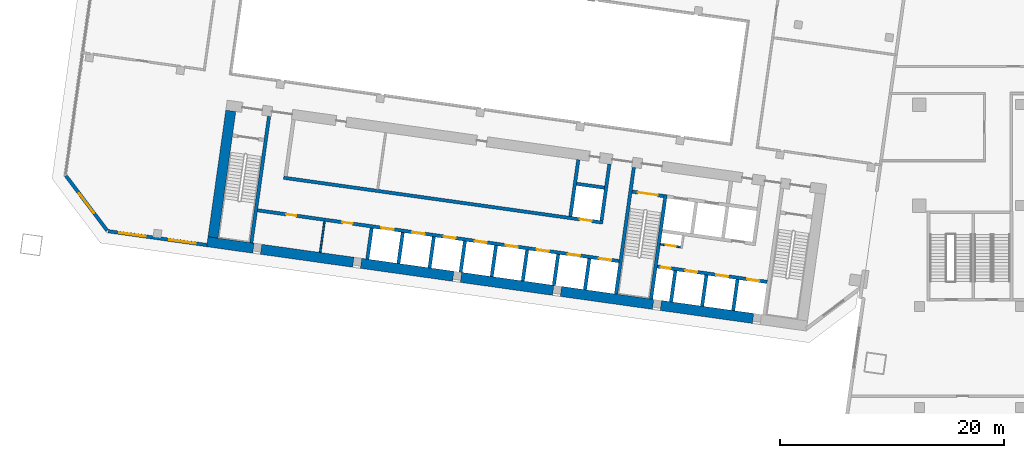
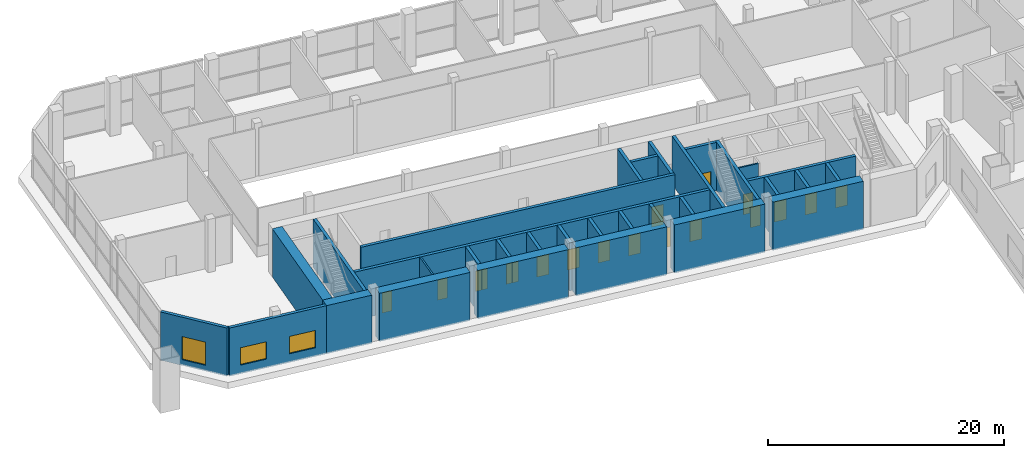
# One storey, part 10 of 23: 32 walls, 17 doors, 3 windows, 20 openings.
"""IFC4 building model written with IfcOpenShell, lengths in metres."""

from ifc_helpers import new_model, si_unit, direction, frame, frame_2d, origin, place, context, subcontext, project, spatial, rectangle, extrude, material, layer, layer_set, type_object, element, fill, save


model = new_model("IFC4")

# Units and contexts
model_context = context("Model", 3, precision=1e-05, world=origin(), true_north=direction((0.0, 1.0)))
body_context = subcontext(model_context, "Body", "Model", "MODEL_VIEW")
ifc_project = project(units=[si_unit("LENGTHUNIT", "METRE"), si_unit("AREAUNIT", "SQUARE_METRE"), si_unit("VOLUMEUNIT", "CUBIC_METRE"), si_unit("PLANEANGLEUNIT", "RADIAN"), si_unit("MASSUNIT", "GRAM", prefix="KILO")], contexts=[model_context])

# Site, building, storey
site_placement = place(None, origin())
site = spatial("IfcSite", under=ifc_project, at=site_placement, CompositionType="ELEMENT")
building_placement = place(site_placement, origin())
building = spatial("IfcBuilding", under=site, at=building_placement, Name="Mirante Cascada Hotel Towers", CompositionType="ELEMENT")
storey_placement = place(building_placement, frame((0.0, 0.0, 29.0)))
storey = spatial("IfcBuildingStorey", under=building, at=storey_placement, Name="L04", CompositionType="ELEMENT", Elevation=29.0)

# Wall, opening, door
ifc_material_1 = material(Name="Masonry block", Category="masonry")
ifc_layer_1 = layer(ifc_material_1, 0.15)
ifc_layer_set_1 = layer_set([ifc_layer_1], Name="Core room partition 150 block EI 30")
wall_type_1 = type_object("IfcWallType", Name="Core room partition 150 block EI 30", PredefinedType="PARTITIONING", material=ifc_layer_set_1)
wall_1_placement = place(storey_placement, frame((-48.2933, -12.7083, 0.0), z_axis=(0.0, 0.0, 1.0), x_axis=(-0.990268, 0.1391734, 0.0)))
wall_1 = element("IfcWall", 1, at=wall_1_placement, inside=storey, type_object=wall_type_1, Name="Core wall partition T1 L04 3", PredefinedType="PARTITIONING", context=body_context, shape_type="SweptSolid", body=[
    extrude(rectangle(XDim=1.8251, YDim=0.15, at=frame_2d((0.9126, 0.0))), origin(), (0.0, 0.0, 1.0), 5.0),
])
opening_1_placement = place(wall_1_placement, frame((0.4625, 0.0, 0.0)))
opening_1 = element("IfcOpeningElement", 2, at=opening_1_placement, cuts=wall_1, Name="Opening D1-04-C26", PredefinedType="OPENING", context=body_context, shape_type="SweptSolid", body=[
    extrude(rectangle(XDim=0.9, YDim=2.1, at=frame_2d((0.45, 1.05))), frame((0.0, 0.075, 0.0), z_axis=(0.0, -1.0, 0.0), x_axis=(1.0, 0.0, 0.0)), (0.0, 0.0, 1.0), 0.15),
])
ifc_material_2 = material(Name="Hollow metal fire door leaf")
door_type_1 = type_object("IfcDoorType", Name="Fire door 900x2100 FD60", OperationType="NOTDEFINED", PredefinedType="DOOR", material=ifc_material_2)
door_1_placement = place(opening_1_placement, origin())
door_1 = element("IfcDoor", 3, at=door_1_placement, inside=storey, type_object=door_type_1, Name="Riser door T1 L04 26", OperationType="SINGLE_SWING_RIGHT", OverallHeight=2.1, OverallWidth=0.9, PredefinedType="DOOR", context=body_context, shape_type="SweptSolid", body=[
    extrude(rectangle(XDim=0.9, YDim=2.1, at=frame_2d((0.45, 1.05))), frame((0.0, 0.025, 0.0), z_axis=(0.0, -1.0, 0.0), x_axis=(1.0, 0.0, 0.0)), (0.0, 0.0, 1.0), 0.05),
])
fill(opening_1, door_1)

# Wall
wall_2_placement = place(storey_placement, frame((-80.448, -13.1879, 0.0), z_axis=(0.0, 0.0, 1.0), x_axis=(0.139176, 0.9902677, 0.0)))
element("IfcWall", 4, at=wall_2_placement, inside=storey, type_object=wall_type_1, Name="Core wall partition T1 L04 4", PredefinedType="PARTITIONING", context=body_context, shape_type="SweptSolid", body=[
    extrude(rectangle(XDim=2.8001, YDim=0.15, at=frame_2d((1.4, 0.0))), origin(), (0.0, 0.0, 1.0), 5.0),
])

# Wall, openings, windows
ifc_material_3 = material(Name="Precast concrete C40/50", Category="concrete")
ifc_layer_2 = layer(ifc_material_3, 0.3)
ifc_layer_set_2 = layer_set([ifc_layer_2], Name="Precast concrete C40/50 cladding wall 300")
wall_type_2 = type_object("IfcWallType", Name="Precast concrete C40/50 cladding wall 300", PredefinedType="STANDARD", material=ifc_layer_set_2)
wall_3_placement = place(storey_placement, frame((-90.5541, -12.5249, 0.0), z_axis=(0.0, 0.0, 1.0), x_axis=(-0.9902676, 0.1391765, 0.0)))
wall_3 = element("IfcWall", 5, at=wall_3_placement, inside=storey, type_object=wall_type_2, Name="Rear cladding wall T1 L04 1", PredefinedType="STANDARD", context=body_context, shape_type="SweptSolid", body=[
    extrude(rectangle(XDim=8.8758, YDim=0.3, at=frame_2d((4.4379, 0.0))), origin(), (0.0, 0.0, 1.0), 5.0),
])
opening_2_placement = place(wall_3_placement, frame((1.0012, 0.0, 0.9)))
opening_2 = element("IfcOpeningElement", 6, at=opening_2_placement, cuts=wall_3, Name="Opening W1-04-01", PredefinedType="OPENING", context=body_context, shape_type="SweptSolid", body=[
    extrude(rectangle(XDim=2.4, YDim=1.8, at=frame_2d((1.2, 0.9))), frame((0.0, 0.15, 0.0), z_axis=(0.0, -1.0, 0.0), x_axis=(1.0, 0.0, 0.0)), (0.0, 0.0, 1.0), 0.3),
])
opening_3_placement = place(wall_3_placement, frame((5.4923, 0.0, 0.9)))
opening_3 = element("IfcOpeningElement", 7, at=opening_3_placement, cuts=wall_3, Name="Opening W1-04-02", PredefinedType="OPENING", context=body_context, shape_type="SweptSolid", body=[
    extrude(rectangle(XDim=2.4, YDim=1.8, at=frame_2d((1.2, 0.9))), frame((0.0, 0.15, 0.0), z_axis=(0.0, -1.0, 0.0), x_axis=(1.0, 0.0, 0.0)), (0.0, 0.0, 1.0), 0.3),
])
ifc_material_4 = material(Name="Aluminium frame with clear double glazing", Category="aluminium")
window_type_1 = type_object("IfcWindowType", Name="Punched window 2400x1800", PartitioningType="DOUBLE_PANEL_VERTICAL", PredefinedType="WINDOW", material=ifc_material_4)
window_1_placement = place(opening_2_placement, origin())
window_1 = element("IfcWindow", 8, at=window_1_placement, inside=storey, type_object=window_type_1, Name="Window W1-04-01", OverallHeight=1.8, OverallWidth=2.4, PartitioningType="SINGLE_PANEL", PredefinedType="WINDOW", context=body_context, shape_type="SweptSolid", body=[
    extrude(rectangle(XDim=2.4, YDim=1.8, at=frame_2d((1.2, 0.9))), frame((0.0, 0.03, 0.0), z_axis=(0.0, -1.0, 0.0), x_axis=(1.0, 0.0, 0.0)), (0.0, 0.0, 1.0), 0.06),
])
fill(opening_2, window_1)
window_2_placement = place(opening_3_placement, origin())
window_2 = element("IfcWindow", 9, at=window_2_placement, inside=storey, type_object=window_type_1, Name="Window W1-04-02", OverallHeight=1.8, OverallWidth=2.4, PartitioningType="SINGLE_PANEL", PredefinedType="WINDOW", context=body_context, shape_type="SweptSolid", body=[
    extrude(rectangle(XDim=2.4, YDim=1.8, at=frame_2d((1.2, 0.9))), frame((0.0, 0.03, 0.0), z_axis=(0.0, -1.0, 0.0), x_axis=(1.0, 0.0, 0.0)), (0.0, 0.0, 1.0), 0.06),
])
fill(opening_3, window_2)

# Wall, opening, window
wall_4_placement = place(storey_placement, frame((-99.4424, -11.2313, 0.0), z_axis=(0.0, 0.0, 1.0), x_axis=(-0.6018194, 0.7986322, 0.0)))
wall_4 = element("IfcWall", 10, at=wall_4_placement, inside=storey, type_object=wall_type_2, Name="Corner cladding wall T1 L04 rear outer", PredefinedType="STANDARD", context=body_context, shape_type="SweptSolid", body=[
    extrude(rectangle(XDim=6.1155, YDim=0.3, at=frame_2d((3.0578, 0.0))), origin(), (0.0, 0.0, 1.0), 5.0),
])
opening_4_placement = place(wall_4_placement, frame((1.9576, 0.0, 0.6)))
opening_4 = element("IfcOpeningElement", 11, at=opening_4_placement, cuts=wall_4, Name="Opening W1-04-03", PredefinedType="OPENING", context=body_context, shape_type="SweptSolid", body=[
    extrude(rectangle(XDim=2.2, YDim=2.4, at=frame_2d((1.1, 1.2))), frame((0.0, 0.15, 0.0), z_axis=(0.0, -1.0, 0.0), x_axis=(1.0, 0.0, 0.0)), (0.0, 0.0, 1.0), 0.3),
])
ifc_material_5 = material(Name="Aluminium frame with clear double glazing", Category="aluminium")
window_type_2 = type_object("IfcWindowType", Name="Corner suite window 2200x2400", PartitioningType="DOUBLE_PANEL_VERTICAL", PredefinedType="WINDOW", material=ifc_material_5)
window_3_placement = place(opening_4_placement, origin())
window_3 = element("IfcWindow", 12, at=window_3_placement, inside=storey, type_object=window_type_2, Name="Window W1-04-03", OverallHeight=2.4, OverallWidth=2.2, PartitioningType="SINGLE_PANEL", PredefinedType="WINDOW", context=body_context, shape_type="SweptSolid", body=[
    extrude(rectangle(XDim=2.2, YDim=2.4, at=frame_2d((1.1, 1.2))), frame((0.0, 0.03, 0.0), z_axis=(0.0, -1.0, 0.0), x_axis=(1.0, 0.0, 0.0)), (0.0, 0.0, 1.0), 0.06),
])
fill(opening_4, window_3)

# Walls
ifc_material_6 = material(Name="Concrete C50/60", Category="concrete")
ifc_layer_3 = layer(ifc_material_6, 0.3)
ifc_layer_set_3 = layer_set([ifc_layer_3], Name="RC core wall 300 C50/60")
wall_type_3 = type_object("IfcWallType", Name="RC core wall 300 C50/60", PredefinedType="SHEAR", material=ifc_layer_set_3)
wall_5_placement = place(storey_placement, frame((-50.938, -17.3352, 0.0), z_axis=(0.0, 0.0, 1.0), x_axis=(0.1391706, 0.9902684, 0.0)))
element("IfcWall", 13, at=wall_5_placement, inside=storey, type_object=wall_type_3, Name="Core wall T1:L04:6", PredefinedType="SHEAR", context=body_context, shape_type="SweptSolid", body=[
    extrude(rectangle(XDim=9.4, YDim=0.3, at=frame_2d((4.7, 0.0))), origin(), (0.0, 0.0, 1.0), 5.0),
])
wall_6_placement = place(storey_placement, frame((-54.0574, -16.8968, 0.0), z_axis=(0.0, 0.0, 1.0), x_axis=(0.1391761, 0.9902677, 0.0)))
element("IfcWall", 14, at=wall_6_placement, inside=storey, type_object=wall_type_3, Name="Core wall T1:L04:7", PredefinedType="SHEAR", context=body_context, shape_type="SweptSolid", body=[
    extrude(rectangle(XDim=11.3999, YDim=0.3, at=frame_2d((5.7, 0.0))), origin(), (0.0, 0.0, 1.0), 5.0),
])
wall_7_placement = place(storey_placement, frame((-86.5877, -12.325, 0.0), z_axis=(0.0, 0.0, 1.0), x_axis=(0.1391749, 0.9902678, 0.0)))
element("IfcWall", 15, at=wall_7_placement, inside=storey, type_object=wall_type_3, Name="Core wall T1:L04:8", PredefinedType="SHEAR", context=body_context, shape_type="SweptSolid", body=[
    extrude(rectangle(XDim=11.4, YDim=0.3, at=frame_2d((5.7, 0.0))), origin(), (0.0, 0.0, 1.0), 5.0),
])

# Wall, opening, door
wall_8_placement = place(storey_placement, frame((-49.7992, -8.1544, 0.0), z_axis=(0.0, 0.0, 1.0), x_axis=(-0.9902656, 0.1391909, 0.0)))
wall_8 = element("IfcWall", 16, at=wall_8_placement, inside=storey, type_object=wall_type_3, Name="Core wall T1:L04:10", PredefinedType="SHEAR", context=body_context, shape_type="SweptSolid", body=[
    extrude(rectangle(XDim=2.85, YDim=0.3, at=frame_2d((1.425, 0.0))), origin(), (0.0, 0.0, 1.0), 5.0),
])
opening_5_placement = place(wall_8_placement, frame((0.525, 0.0, 0.0)))
opening_5 = element("IfcOpeningElement", 17, at=opening_5_placement, cuts=wall_8, Name="Opening D1-04-C18", PredefinedType="OPENING", context=body_context, shape_type="SweptSolid", body=[
    extrude(rectangle(XDim=1.8, YDim=2.1, at=frame_2d((0.9, 1.05))), frame((0.0, 0.15, 0.0), z_axis=(0.0, -1.0, 0.0), x_axis=(1.0, 0.0, 0.0)), (0.0, 0.0, 1.0), 0.3),
])
ifc_material_7 = material(Name="Hollow metal fire door leaf")
door_type_2 = type_object("IfcDoorType", Name="Double fire door 1800x2100 FD60", OperationType="DOUBLE_DOOR_SINGLE_SWING", PredefinedType="DOOR", material=ifc_material_7)
door_2_placement = place(opening_5_placement, origin())
door_2 = element("IfcDoor", 18, at=door_2_placement, inside=storey, type_object=door_type_2, Name="Stair door T1 L04 18", OperationType="DOUBLE_DOOR_SINGLE_SWING", OverallHeight=2.1, OverallWidth=1.8, PredefinedType="DOOR", context=body_context, shape_type="SweptSolid", body=[
    extrude(rectangle(XDim=0.895, YDim=2.1, at=frame_2d((0.4475, 1.05))), frame((0.0, 0.025, 0.0), z_axis=(0.0, -1.0, 0.0), x_axis=(1.0, 0.0, 0.0)), (0.0, 0.0, 1.0), 0.05),
    extrude(rectangle(XDim=0.895, YDim=2.1, at=frame_2d((1.3525, 1.05))), frame((0.0, 0.025, 0.0), z_axis=(0.0, -1.0, 0.0), x_axis=(1.0, 0.0, 0.0)), (0.0, 0.0, 1.0), 0.05),
])
fill(opening_5, door_2)

# Wall, openings, doors
wall_9_placement = place(storey_placement, frame((-40.5753, -15.8126, 0.0), z_axis=(0.0, 0.0, 1.0), x_axis=(-0.9902682, 0.1391725, 0.0)))
wall_9 = element("IfcWall", 19, at=wall_9_placement, inside=storey, type_object=wall_type_3, Name="Core wall T1:L04:12", PredefinedType="SHEAR", context=body_context, shape_type="SweptSolid", body=[
    extrude(rectangle(XDim=9.8999, YDim=0.3, at=frame_2d((4.95, 0.0))), origin(), (0.0, 0.0, 1.0), 5.0),
])
opening_6_placement = place(wall_9_placement, frame((0.7, 0.0, 0.0)))
opening_6 = element("IfcOpeningElement", 20, at=opening_6_placement, cuts=wall_9, Name="Opening LD", PredefinedType="OPENING", context=body_context, shape_type="SweptSolid", body=[
    extrude(rectangle(XDim=1.1, YDim=2.1, at=frame_2d((0.55, 1.05))), frame((0.0, 0.15, 0.0), z_axis=(0.0, -1.0, 0.0), x_axis=(1.0, 0.0, 0.0)), (0.0, 0.0, 1.0), 0.3),
])
opening_7_placement = place(wall_9_placement, frame((3.5, 0.0, 0.0)))
opening_7 = element("IfcOpeningElement", 21, at=opening_7_placement, cuts=wall_9, Name="Opening LD", PredefinedType="OPENING", context=body_context, shape_type="SweptSolid", body=[
    extrude(rectangle(XDim=1.1, YDim=2.1, at=frame_2d((0.55, 1.05))), frame((0.0, 0.15, 0.0), z_axis=(0.0, -1.0, 0.0), x_axis=(1.0, 0.0, 0.0)), (0.0, 0.0, 1.0), 0.3),
])
opening_8_placement = place(wall_9_placement, frame((6.3, 0.0, 0.0)))
opening_8 = element("IfcOpeningElement", 22, at=opening_8_placement, cuts=wall_9, Name="Opening LD", PredefinedType="OPENING", context=body_context, shape_type="SweptSolid", body=[
    extrude(rectangle(XDim=1.1, YDim=2.1, at=frame_2d((0.55, 1.05))), frame((0.0, 0.15, 0.0), z_axis=(0.0, -1.0, 0.0), x_axis=(1.0, 0.0, 0.0)), (0.0, 0.0, 1.0), 0.3),
])
opening_9_placement = place(wall_9_placement, frame((8.7, 0.0, 0.0)))
opening_9 = element("IfcOpeningElement", 23, at=opening_9_placement, cuts=wall_9, Name="Opening D1-04-C25", PredefinedType="OPENING", context=body_context, shape_type="SweptSolid", body=[
    extrude(rectangle(XDim=0.9, YDim=2.1, at=frame_2d((0.45, 1.05))), frame((0.0, 0.15, 0.0), z_axis=(0.0, -1.0, 0.0), x_axis=(1.0, 0.0, 0.0)), (0.0, 0.0, 1.0), 0.3),
])
door_3_placement = place(opening_9_placement, origin())
door_3 = element("IfcDoor", 24, at=door_3_placement, inside=storey, type_object=door_type_1, Name="Riser door T1 L04 25", OperationType="SINGLE_SWING_LEFT", OverallHeight=2.1, OverallWidth=0.9, PredefinedType="DOOR", context=body_context, shape_type="SweptSolid", body=[
    extrude(rectangle(XDim=0.9, YDim=2.1, at=frame_2d((0.45, 1.05))), frame((0.0, 0.025, 0.0), z_axis=(0.0, -1.0, 0.0), x_axis=(1.0, 0.0, 0.0)), (0.0, 0.0, 1.0), 0.05),
])
fill(opening_9, door_3)
ifc_material_8 = material(Name="Stainless steel", Category="steel")
door_type_3 = type_object("IfcDoorType", Name="Lift landing door 1100x2100 EI 120", OperationType="DOUBLE_DOOR_SLIDING", PredefinedType="DOOR", material=ifc_material_8)
door_4_placement = place(opening_6_placement, origin())
door_4 = element("IfcDoor", 25, at=door_4_placement, inside=storey, type_object=door_type_3, Name="Lift landing door HR1-1 L04", OperationType="DOUBLE_DOOR_SLIDING", OverallHeight=2.1, OverallWidth=1.1, PredefinedType="DOOR", context=body_context, shape_type="SweptSolid", body=[
    extrude(rectangle(XDim=0.545, YDim=2.1, at=frame_2d((0.2725, 1.05))), frame((0.0, 0.025, 0.0), z_axis=(0.0, -1.0, 0.0), x_axis=(1.0, 0.0, 0.0)), (0.0, 0.0, 1.0), 0.05),
    extrude(rectangle(XDim=0.545, YDim=2.1, at=frame_2d((0.8275, 1.05))), frame((0.0, 0.025, 0.0), z_axis=(0.0, -1.0, 0.0), x_axis=(1.0, 0.0, 0.0)), (0.0, 0.0, 1.0), 0.05),
])
fill(opening_6, door_4)
door_5_placement = place(opening_7_placement, origin())
door_5 = element("IfcDoor", 26, at=door_5_placement, inside=storey, type_object=door_type_3, Name="Lift landing door HR1-2 L04", OperationType="DOUBLE_DOOR_SLIDING", OverallHeight=2.1, OverallWidth=1.1, PredefinedType="DOOR", context=body_context, shape_type="SweptSolid", body=[
    extrude(rectangle(XDim=0.545, YDim=2.1, at=frame_2d((0.2725, 1.05))), frame((0.0, 0.025, 0.0), z_axis=(0.0, -1.0, 0.0), x_axis=(1.0, 0.0, 0.0)), (0.0, 0.0, 1.0), 0.05),
    extrude(rectangle(XDim=0.545, YDim=2.1, at=frame_2d((0.8275, 1.05))), frame((0.0, 0.025, 0.0), z_axis=(0.0, -1.0, 0.0), x_axis=(1.0, 0.0, 0.0)), (0.0, 0.0, 1.0), 0.05),
])
fill(opening_7, door_5)
door_6_placement = place(opening_8_placement, origin())
door_6 = element("IfcDoor", 27, at=door_6_placement, inside=storey, type_object=door_type_3, Name="Lift landing door HR1-3 L04", OperationType="DOUBLE_DOOR_SLIDING", OverallHeight=2.1, OverallWidth=1.1, PredefinedType="DOOR", context=body_context, shape_type="SweptSolid", body=[
    extrude(rectangle(XDim=0.545, YDim=2.1, at=frame_2d((0.2725, 1.05))), frame((0.0, 0.025, 0.0), z_axis=(0.0, -1.0, 0.0), x_axis=(1.0, 0.0, 0.0)), (0.0, 0.0, 1.0), 0.05),
    extrude(rectangle(XDim=0.545, YDim=2.1, at=frame_2d((0.8275, 1.05))), frame((0.0, 0.025, 0.0), z_axis=(0.0, -1.0, 0.0), x_axis=(1.0, 0.0, 0.0)), (0.0, 0.0, 1.0), 0.05),
])
fill(opening_8, door_6)

# Walls
wall_10_placement = place(storey_placement, frame((-43.61, -18.3651, 0.0), z_axis=(0.0, 0.0, 1.0), x_axis=(0.1391459, 0.9902719, 0.0)))
element("IfcWall", 28, at=wall_10_placement, inside=storey, type_object=wall_type_3, Name="Core wall T1:L04:15", PredefinedType="SHEAR", context=body_context, shape_type="SweptSolid", body=[
    extrude(rectangle(XDim=2.7999, YDim=0.3, at=frame_2d((1.4, 0.0))), origin(), (0.0, 0.0, 1.0), 5.0),
])
wall_11_placement = place(storey_placement, frame((-46.3828, -17.9754, 0.0), z_axis=(0.0, 0.0, 1.0), x_axis=(0.139181, 0.990267, 0.0)))
element("IfcWall", 29, at=wall_11_placement, inside=storey, type_object=wall_type_3, Name="Core wall T1:L04:16", PredefinedType="SHEAR", context=body_context, shape_type="SweptSolid", body=[
    extrude(rectangle(XDim=2.8, YDim=0.3, at=frame_2d((1.4, 0.0))), origin(), (0.0, 0.0, 1.0), 5.0),
])
wall_12_placement = place(storey_placement, frame((-49.1555, -17.5857, 0.0), z_axis=(0.0, 0.0, 1.0), x_axis=(0.1391459, 0.9902719, 0.0)))
element("IfcWall", 30, at=wall_12_placement, inside=storey, type_object=wall_type_3, Name="Core wall T1:L04:17", PredefinedType="SHEAR", context=body_context, shape_type="SweptSolid", body=[
    extrude(rectangle(XDim=2.7999, YDim=0.3, at=frame_2d((1.4, 0.0))), origin(), (0.0, 0.0, 1.0), 5.0),
])

# Wall, openings, doors
wall_13_placement = place(storey_placement, frame((-53.7953, -13.9547, 0.0), z_axis=(0.0, 0.0, 1.0), x_axis=(-0.990268, 0.1391733, 0.0)))
wall_13 = element("IfcWall", 31, at=wall_13_placement, inside=storey, type_object=wall_type_3, Name="Core wall T1:L04:24", PredefinedType="SHEAR", context=body_context, shape_type="SweptSolid", body=[
    extrude(rectangle(XDim=32.5501, YDim=0.3, at=frame_2d((16.275, 0.0))), origin(), (0.0, 0.0, 1.0), 5.0),
])
opening_10_placement = place(wall_13_placement, frame((0.7, 0.0, 0.0)))
opening_10 = element("IfcOpeningElement", 32, at=opening_10_placement, cuts=wall_13, Name="Opening LD", PredefinedType="OPENING", context=body_context, shape_type="SweptSolid", body=[
    extrude(rectangle(XDim=1.1, YDim=2.1, at=frame_2d((0.55, 1.05))), frame((0.0, 0.15, 0.0), z_axis=(0.0, -1.0, 0.0), x_axis=(1.0, 0.0, 0.0)), (0.0, 0.0, 1.0), 0.3),
])
opening_11_placement = place(wall_13_placement, frame((3.5, 0.0, 0.0)))
opening_11 = element("IfcOpeningElement", 33, at=opening_11_placement, cuts=wall_13, Name="Opening LD", PredefinedType="OPENING", context=body_context, shape_type="SweptSolid", body=[
    extrude(rectangle(XDim=1.1, YDim=2.1, at=frame_2d((0.55, 1.05))), frame((0.0, 0.15, 0.0), z_axis=(0.0, -1.0, 0.0), x_axis=(1.0, 0.0, 0.0)), (0.0, 0.0, 1.0), 0.3),
])
opening_12_placement = place(wall_13_placement, frame((6.3, 0.0, 0.0)))
opening_12 = element("IfcOpeningElement", 34, at=opening_12_placement, cuts=wall_13, Name="Opening LD", PredefinedType="OPENING", context=body_context, shape_type="SweptSolid", body=[
    extrude(rectangle(XDim=1.1, YDim=2.1, at=frame_2d((0.55, 1.05))), frame((0.0, 0.15, 0.0), z_axis=(0.0, -1.0, 0.0), x_axis=(1.0, 0.0, 0.0)), (0.0, 0.0, 1.0), 0.3),
])
opening_13_placement = place(wall_13_placement, frame((9.1, 0.0, 0.0)))
opening_13 = element("IfcOpeningElement", 35, at=opening_13_placement, cuts=wall_13, Name="Opening LD", PredefinedType="OPENING", context=body_context, shape_type="SweptSolid", body=[
    extrude(rectangle(XDim=1.1, YDim=2.1, at=frame_2d((0.55, 1.05))), frame((0.0, 0.15, 0.0), z_axis=(0.0, -1.0, 0.0), x_axis=(1.0, 0.0, 0.0)), (0.0, 0.0, 1.0), 0.3),
])
opening_14_placement = place(wall_13_placement, frame((11.9, 0.0, 0.0)))
opening_14 = element("IfcOpeningElement", 36, at=opening_14_placement, cuts=wall_13, Name="Opening LD", PredefinedType="OPENING", context=body_context, shape_type="SweptSolid", body=[
    extrude(rectangle(XDim=1.1, YDim=2.1, at=frame_2d((0.55, 1.05))), frame((0.0, 0.15, 0.0), z_axis=(0.0, -1.0, 0.0), x_axis=(1.0, 0.0, 0.0)), (0.0, 0.0, 1.0), 0.3),
])
opening_15_placement = place(wall_13_placement, frame((14.7, 0.0, 0.0)))
opening_15 = element("IfcOpeningElement", 37, at=opening_15_placement, cuts=wall_13, Name="Opening LD", PredefinedType="OPENING", context=body_context, shape_type="SweptSolid", body=[
    extrude(rectangle(XDim=1.1, YDim=2.1, at=frame_2d((0.55, 1.05))), frame((0.0, 0.15, 0.0), z_axis=(0.0, -1.0, 0.0), x_axis=(1.0, 0.0, 0.0)), (0.0, 0.0, 1.0), 0.3),
])
opening_16_placement = place(wall_13_placement, frame((17.5, 0.0, 0.0)))
opening_16 = element("IfcOpeningElement", 38, at=opening_16_placement, cuts=wall_13, Name="Opening LD", PredefinedType="OPENING", context=body_context, shape_type="SweptSolid", body=[
    extrude(rectangle(XDim=1.1, YDim=2.1, at=frame_2d((0.55, 1.05))), frame((0.0, 0.15, 0.0), z_axis=(0.0, -1.0, 0.0), x_axis=(1.0, 0.0, 0.0)), (0.0, 0.0, 1.0), 0.3),
])
opening_17_placement = place(wall_13_placement, frame((20.3, 0.0, 0.0)))
opening_17 = element("IfcOpeningElement", 39, at=opening_17_placement, cuts=wall_13, Name="Opening LD", PredefinedType="OPENING", context=body_context, shape_type="SweptSolid", body=[
    extrude(rectangle(XDim=1.1, YDim=2.1, at=frame_2d((0.55, 1.05))), frame((0.0, 0.15, 0.0), z_axis=(0.0, -1.0, 0.0), x_axis=(1.0, 0.0, 0.0)), (0.0, 0.0, 1.0), 0.3),
])
opening_18_placement = place(wall_13_placement, frame((24.0, 0.0, 0.0)))
opening_18 = element("IfcOpeningElement", 40, at=opening_18_placement, cuts=wall_13, Name="Opening D1-04-C28", PredefinedType="OPENING", context=body_context, shape_type="SweptSolid", body=[
    extrude(rectangle(XDim=0.9, YDim=2.1, at=frame_2d((0.45, 1.05))), frame((0.0, 0.15, 0.0), z_axis=(0.0, -1.0, 0.0), x_axis=(1.0, 0.0, 0.0)), (0.0, 0.0, 1.0), 0.3),
])
opening_19_placement = place(wall_13_placement, frame((29.075, 0.0, 0.0)))
opening_19 = element("IfcOpeningElement", 41, at=opening_19_placement, cuts=wall_13, Name="Opening D1-04-C29", PredefinedType="OPENING", context=body_context, shape_type="SweptSolid", body=[
    extrude(rectangle(XDim=0.9, YDim=2.1, at=frame_2d((0.45, 1.05))), frame((0.0, 0.15, 0.0), z_axis=(0.0, -1.0, 0.0), x_axis=(1.0, 0.0, 0.0)), (0.0, 0.0, 1.0), 0.3),
])
door_7_placement = place(opening_18_placement, origin())
door_7 = element("IfcDoor", 42, at=door_7_placement, inside=storey, type_object=door_type_1, Name="Room door T1 L04 28", OperationType="SINGLE_SWING_LEFT", OverallHeight=2.1, OverallWidth=0.9, PredefinedType="DOOR", context=body_context, shape_type="SweptSolid", body=[
    extrude(rectangle(XDim=0.9, YDim=2.1, at=frame_2d((0.45, 1.05))), frame((0.0, 0.025, 0.0), z_axis=(0.0, -1.0, 0.0), x_axis=(1.0, 0.0, 0.0)), (0.0, 0.0, 1.0), 0.05),
])
fill(opening_18, door_7)
door_8_placement = place(opening_19_placement, origin())
door_8 = element("IfcDoor", 43, at=door_8_placement, inside=storey, type_object=door_type_1, Name="Room door T1 L04 29", OperationType="SINGLE_SWING_LEFT", OverallHeight=2.1, OverallWidth=0.9, PredefinedType="DOOR", context=body_context, shape_type="SweptSolid", body=[
    extrude(rectangle(XDim=0.9, YDim=2.1, at=frame_2d((0.45, 1.05))), frame((0.0, 0.025, 0.0), z_axis=(0.0, -1.0, 0.0), x_axis=(1.0, 0.0, 0.0)), (0.0, 0.0, 1.0), 0.05),
])
fill(opening_19, door_8)
door_9_placement = place(opening_10_placement, origin())
door_9 = element("IfcDoor", 44, at=door_9_placement, inside=storey, type_object=door_type_3, Name="Lift landing door LR1-1 L04", OperationType="DOUBLE_DOOR_SLIDING", OverallHeight=2.1, OverallWidth=1.1, PredefinedType="DOOR", context=body_context, shape_type="SweptSolid", body=[
    extrude(rectangle(XDim=0.545, YDim=2.1, at=frame_2d((0.2725, 1.05))), frame((0.0, 0.025, 0.0), z_axis=(0.0, -1.0, 0.0), x_axis=(1.0, 0.0, 0.0)), (0.0, 0.0, 1.0), 0.05),
    extrude(rectangle(XDim=0.545, YDim=2.1, at=frame_2d((0.8275, 1.05))), frame((0.0, 0.025, 0.0), z_axis=(0.0, -1.0, 0.0), x_axis=(1.0, 0.0, 0.0)), (0.0, 0.0, 1.0), 0.05),
])
fill(opening_10, door_9)
door_10_placement = place(opening_11_placement, origin())
door_10 = element("IfcDoor", 45, at=door_10_placement, inside=storey, type_object=door_type_3, Name="Lift landing door LR1-2 L04", OperationType="DOUBLE_DOOR_SLIDING", OverallHeight=2.1, OverallWidth=1.1, PredefinedType="DOOR", context=body_context, shape_type="SweptSolid", body=[
    extrude(rectangle(XDim=0.545, YDim=2.1, at=frame_2d((0.2725, 1.05))), frame((0.0, 0.025, 0.0), z_axis=(0.0, -1.0, 0.0), x_axis=(1.0, 0.0, 0.0)), (0.0, 0.0, 1.0), 0.05),
    extrude(rectangle(XDim=0.545, YDim=2.1, at=frame_2d((0.8275, 1.05))), frame((0.0, 0.025, 0.0), z_axis=(0.0, -1.0, 0.0), x_axis=(1.0, 0.0, 0.0)), (0.0, 0.0, 1.0), 0.05),
])
fill(opening_11, door_10)
door_11_placement = place(opening_12_placement, origin())
door_11 = element("IfcDoor", 46, at=door_11_placement, inside=storey, type_object=door_type_3, Name="Lift landing door SV1-1 L04", OperationType="DOUBLE_DOOR_SLIDING", OverallHeight=2.1, OverallWidth=1.1, PredefinedType="DOOR", context=body_context, shape_type="SweptSolid", body=[
    extrude(rectangle(XDim=0.545, YDim=2.1, at=frame_2d((0.2725, 1.05))), frame((0.0, 0.025, 0.0), z_axis=(0.0, -1.0, 0.0), x_axis=(1.0, 0.0, 0.0)), (0.0, 0.0, 1.0), 0.05),
    extrude(rectangle(XDim=0.545, YDim=2.1, at=frame_2d((0.8275, 1.05))), frame((0.0, 0.025, 0.0), z_axis=(0.0, -1.0, 0.0), x_axis=(1.0, 0.0, 0.0)), (0.0, 0.0, 1.0), 0.05),
])
fill(opening_12, door_11)
door_12_placement = place(opening_13_placement, origin())
door_12 = element("IfcDoor", 47, at=door_12_placement, inside=storey, type_object=door_type_3, Name="Lift landing door SV1-2 L04", OperationType="DOUBLE_DOOR_SLIDING", OverallHeight=2.1, OverallWidth=1.1, PredefinedType="DOOR", context=body_context, shape_type="SweptSolid", body=[
    extrude(rectangle(XDim=0.545, YDim=2.1, at=frame_2d((0.2725, 1.05))), frame((0.0, 0.025, 0.0), z_axis=(0.0, -1.0, 0.0), x_axis=(1.0, 0.0, 0.0)), (0.0, 0.0, 1.0), 0.05),
    extrude(rectangle(XDim=0.545, YDim=2.1, at=frame_2d((0.8275, 1.05))), frame((0.0, 0.025, 0.0), z_axis=(0.0, -1.0, 0.0), x_axis=(1.0, 0.0, 0.0)), (0.0, 0.0, 1.0), 0.05),
])
fill(opening_13, door_12)
door_13_placement = place(opening_14_placement, origin())
door_13 = element("IfcDoor", 48, at=door_13_placement, inside=storey, type_object=door_type_3, Name="Lift landing door SV1-3 L04", OperationType="DOUBLE_DOOR_SLIDING", OverallHeight=2.1, OverallWidth=1.1, PredefinedType="DOOR", context=body_context, shape_type="SweptSolid", body=[
    extrude(rectangle(XDim=0.545, YDim=2.1, at=frame_2d((0.2725, 1.05))), frame((0.0, 0.025, 0.0), z_axis=(0.0, -1.0, 0.0), x_axis=(1.0, 0.0, 0.0)), (0.0, 0.0, 1.0), 0.05),
    extrude(rectangle(XDim=0.545, YDim=2.1, at=frame_2d((0.8275, 1.05))), frame((0.0, 0.025, 0.0), z_axis=(0.0, -1.0, 0.0), x_axis=(1.0, 0.0, 0.0)), (0.0, 0.0, 1.0), 0.05),
])
fill(opening_14, door_13)
door_14_placement = place(opening_15_placement, origin())
door_14 = element("IfcDoor", 49, at=door_14_placement, inside=storey, type_object=door_type_3, Name="Lift landing door SV1-4 L04", OperationType="DOUBLE_DOOR_SLIDING", OverallHeight=2.1, OverallWidth=1.1, PredefinedType="DOOR", context=body_context, shape_type="SweptSolid", body=[
    extrude(rectangle(XDim=0.545, YDim=2.1, at=frame_2d((0.2725, 1.05))), frame((0.0, 0.025, 0.0), z_axis=(0.0, -1.0, 0.0), x_axis=(1.0, 0.0, 0.0)), (0.0, 0.0, 1.0), 0.05),
    extrude(rectangle(XDim=0.545, YDim=2.1, at=frame_2d((0.8275, 1.05))), frame((0.0, 0.025, 0.0), z_axis=(0.0, -1.0, 0.0), x_axis=(1.0, 0.0, 0.0)), (0.0, 0.0, 1.0), 0.05),
])
fill(opening_15, door_14)
door_15_placement = place(opening_16_placement, origin())
door_15 = element("IfcDoor", 50, at=door_15_placement, inside=storey, type_object=door_type_3, Name="Lift landing door PS1-1 L04", OperationType="DOUBLE_DOOR_SLIDING", OverallHeight=2.1, OverallWidth=1.1, PredefinedType="DOOR", context=body_context, shape_type="SweptSolid", body=[
    extrude(rectangle(XDim=0.545, YDim=2.1, at=frame_2d((0.2725, 1.05))), frame((0.0, 0.025, 0.0), z_axis=(0.0, -1.0, 0.0), x_axis=(1.0, 0.0, 0.0)), (0.0, 0.0, 1.0), 0.05),
    extrude(rectangle(XDim=0.545, YDim=2.1, at=frame_2d((0.8275, 1.05))), frame((0.0, 0.025, 0.0), z_axis=(0.0, -1.0, 0.0), x_axis=(1.0, 0.0, 0.0)), (0.0, 0.0, 1.0), 0.05),
])
fill(opening_16, door_15)
door_16_placement = place(opening_17_placement, origin())
door_16 = element("IfcDoor", 51, at=door_16_placement, inside=storey, type_object=door_type_3, Name="Lift landing door PS1-2 L04", OperationType="DOUBLE_DOOR_SLIDING", OverallHeight=2.1, OverallWidth=1.1, PredefinedType="DOOR", context=body_context, shape_type="SweptSolid", body=[
    extrude(rectangle(XDim=0.545, YDim=2.1, at=frame_2d((0.2725, 1.05))), frame((0.0, 0.025, 0.0), z_axis=(0.0, -1.0, 0.0), x_axis=(1.0, 0.0, 0.0)), (0.0, 0.0, 1.0), 0.05),
    extrude(rectangle(XDim=0.545, YDim=2.1, at=frame_2d((0.8275, 1.05))), frame((0.0, 0.025, 0.0), z_axis=(0.0, -1.0, 0.0), x_axis=(1.0, 0.0, 0.0)), (0.0, 0.0, 1.0), 0.05),
])
fill(opening_17, door_16)

# Walls
for number, where, z_axis, x_axis, name in (
    (52, (-56.8301, -16.5072, 0.0), (0.0, 0.0, 1.0), (0.139176, 0.9902677, 0.0), "Core wall T1:L04:25"),
    (53, (-59.6029, -16.1175, 0.0), (0.0, 0.0, 1.0), (0.139176, 0.9902677, 0.0), "Core wall T1:L04:26"),
    (54, (-62.3756, -15.7278, 0.0), (0.0, 0.0, 1.0), (0.139176, 0.9902677, 0.0), "Core wall T1:L04:27"),
    (55, (-65.1484, -15.3381, 0.0), (0.0, 0.0, 1.0), (0.139176, 0.9902677, 0.0), "Core wall T1:L04:28"),
):
    element("IfcWall", number, at=place(storey_placement, frame(where, z_axis=z_axis, x_axis=x_axis)), inside=storey, type_object=wall_type_3, Name=name, PredefinedType="SHEAR", context=body_context, shape_type="SweptSolid", body=[
        extrude(rectangle(XDim=2.8001, YDim=0.3, at=frame_2d((1.4, 0.0))), origin(), (0.0, 0.0, 1.0), 5.0),
    ])
for number, where, z_axis, x_axis, name in (
    (56, (-67.9211, -14.9484, 0.0), (0.0, 0.0, 1.0), (0.139181, 0.990267, 0.0), "Core wall T1:L04:29"),
    (57, (-70.6939, -14.5587, 0.0), (0.0, 0.0, 1.0), (0.139181, 0.990267, 0.0), "Core wall T1:L04:30"),
    (58, (-73.4666, -14.169, 0.0), (0.0, 0.0, 1.0), (0.139181, 0.990267, 0.0), "Core wall T1:L04:31"),
):
    element("IfcWall", number, at=place(storey_placement, frame(where, z_axis=z_axis, x_axis=x_axis)), inside=storey, type_object=wall_type_3, Name=name, PredefinedType="SHEAR", context=body_context, shape_type="SweptSolid", body=[
        extrude(rectangle(XDim=2.8, YDim=0.3, at=frame_2d((1.4, 0.0))), origin(), (0.0, 0.0, 1.0), 5.0),
    ])
wall_14_placement = place(storey_placement, frame((-76.2394, -13.7794, 0.0), z_axis=(0.0, 0.0, 1.0), x_axis=(0.139176, 0.9902677, 0.0)))
element("IfcWall", 59, at=wall_14_placement, inside=storey, type_object=wall_type_3, Name="Core wall T1:L04:32", PredefinedType="SHEAR", context=body_context, shape_type="SweptSolid", body=[
    extrude(rectangle(XDim=2.8001, YDim=0.3, at=frame_2d((1.4, 0.0))), origin(), (0.0, 0.0, 1.0), 5.0),
])

# Wall, opening, door
wall_15_placement = place(storey_placement, frame((-55.2315, -10.5214, 0.0), z_axis=(0.0, 0.0, 1.0), x_axis=(-0.9902682, 0.1391722, 0.0)))
wall_15 = element("IfcWall", 60, at=wall_15_placement, inside=storey, type_object=wall_type_3, Name="Core wall T1:L04:34", PredefinedType="SHEAR", context=body_context, shape_type="SweptSolid", body=[
    extrude(rectangle(XDim=28.75, YDim=0.3, at=frame_2d((14.375, 0.0))), origin(), (0.0, 0.0, 1.0), 5.0),
])
opening_20_placement = place(wall_15_placement, frame((1.0, 0.0, 0.0)))
opening_20 = element("IfcOpeningElement", 61, at=opening_20_placement, cuts=wall_15, Name="Opening LD", PredefinedType="OPENING", context=body_context, shape_type="SweptSolid", body=[
    extrude(rectangle(XDim=1.1, YDim=2.1, at=frame_2d((0.55, 1.05))), frame((0.0, 0.15, 0.0), z_axis=(0.0, -1.0, 0.0), x_axis=(1.0, 0.0, 0.0)), (0.0, 0.0, 1.0), 0.3),
])
door_17_placement = place(opening_20_placement, origin())
door_17 = element("IfcDoor", 62, at=door_17_placement, inside=storey, type_object=door_type_3, Name="Lift landing door LR1-3 L04", OperationType="DOUBLE_DOOR_SLIDING", OverallHeight=2.1, OverallWidth=1.1, PredefinedType="DOOR", context=body_context, shape_type="SweptSolid", body=[
    extrude(rectangle(XDim=0.545, YDim=2.1, at=frame_2d((0.2725, 1.05))), frame((0.0, 0.025, 0.0), z_axis=(0.0, -1.0, 0.0), x_axis=(1.0, 0.0, 0.0)), (0.0, 0.0, 1.0), 0.05),
    extrude(rectangle(XDim=0.545, YDim=2.1, at=frame_2d((0.8275, 1.05))), frame((0.0, 0.025, 0.0), z_axis=(0.0, -1.0, 0.0), x_axis=(1.0, 0.0, 0.0)), (0.0, 0.0, 1.0), 0.05),
])
fill(opening_20, door_17)

# Walls
for number, where, z_axis, x_axis, name in (
    (63, (-55.3592, -10.352, 0.0), (0.0, 0.0, 1.0), (0.1391755, 0.9902677, 0.0), "Core wall T1:L04:35"),
    (64, (-58.1319, -9.9623, 0.0), (0.0, 0.0, 1.0), (0.1391755, 0.9902677, 0.0), "Core wall T1:L04:37"),
):
    element("IfcWall", number, at=place(storey_placement, frame(where, z_axis=z_axis, x_axis=x_axis)), inside=storey, type_object=wall_type_3, Name=name, PredefinedType="SHEAR", context=body_context, shape_type="SweptSolid", body=[
        extrude(rectangle(XDim=5.1, YDim=0.3, at=frame_2d((2.55, 0.0))), origin(), (0.0, 0.0, 1.0), 5.0),
    ])
wall_16_placement = place(storey_placement, frame((-55.0971, -7.4098, 0.0), z_axis=(0.0, 0.0, 1.0), x_axis=(-0.9902701, 0.1391586, 0.0)))
element("IfcWall", 65, at=wall_16_placement, inside=storey, type_object=wall_type_3, Name="Core wall T1:L04:38", PredefinedType="SHEAR", context=body_context, shape_type="SweptSolid", body=[
    extrude(rectangle(XDim=2.5, YDim=0.3, at=frame_2d((1.25, 0.0))), origin(), (0.0, 0.0, 1.0), 5.0),
])
ifc_material_9 = material(Name="Concrete C50/60", Category="concrete")
ifc_layer_4 = layer(ifc_material_9, 0.9)
ifc_layer_set_4 = layer_set([ifc_layer_4], Name="RC core wall 900 C50/60")
wall_type_4 = type_object("IfcWallType", Name="RC core wall 900 C50/60", PredefinedType="SHEAR", material=ifc_layer_set_4)
for number, where, z_axis, x_axis, name in (
    (66, (-41.8407, -19.0682, 0.0), (0.0, 0.0, 1.0), (-0.9902686, 0.1391692, 0.0), "Core wall T1:L04:1.2"),
    (67, (-50.7531, -17.8156, 0.0), (0.0, 0.0, 1.0), (-0.9902686, 0.1391692, 0.0), "Core wall T1:L04:1.3"),
    (68, (-59.6655, -16.5631, 0.0), (0.0, 0.0, 1.0), (-0.9902686, 0.1391692, 0.0), "Core wall T1:L04:1.4"),
    (69, (-68.5779, -15.3105, 0.0), (0.0, 0.0, 1.0), (-0.9902686, 0.1391692, 0.0), "Core wall T1:L04:1.5"),
    (70, (-77.4903, -14.058, 0.0), (0.0, 0.0, 1.0), (-0.990267, 0.139181, 0.0), "Core wall T1:L04:1.6"),
):
    element("IfcWall", number, at=place(storey_placement, frame(where, z_axis=z_axis, x_axis=x_axis)), inside=storey, type_object=wall_type_4, Name=name, PredefinedType="SHEAR", context=body_context, shape_type="SweptSolid", body=[
        extrude(rectangle(XDim=8.3, YDim=0.9, at=frame_2d((4.15, 0.0))), origin(), (0.0, 0.0, 1.0), 5.0),
    ])
wall_17_placement = place(storey_placement, frame((-86.4027, -12.8054, 0.0), z_axis=(0.0, 0.0, 1.0), x_axis=(-0.990267, 0.139181, 0.0)))
element("IfcWall", 71, at=wall_17_placement, inside=storey, type_object=wall_type_4, Name="Core wall T1:L04:1.7", PredefinedType="SHEAR", context=body_context, shape_type="SweptSolid", body=[
    extrude(rectangle(XDim=4.15, YDim=0.9, at=frame_2d((2.075, 0.0))), origin(), (0.0, 0.0, 1.0), 5.0),
])
wall_18_placement = place(storey_placement, frame((-90.0041, -11.8449, 0.0), z_axis=(0.0, 0.0, 1.0), x_axis=(0.1391749, 0.9902678, 0.0)))
element("IfcWall", 72, at=wall_18_placement, inside=storey, type_object=wall_type_4, Name="Core wall T1:L04:4", PredefinedType="SHEAR", context=body_context, shape_type="SweptSolid", body=[
    extrude(rectangle(XDim=11.4, YDim=0.9, at=frame_2d((5.7, 0.0))), origin(), (0.0, 0.0, 1.0), 5.0),
])

save(model, "model.ifc")
